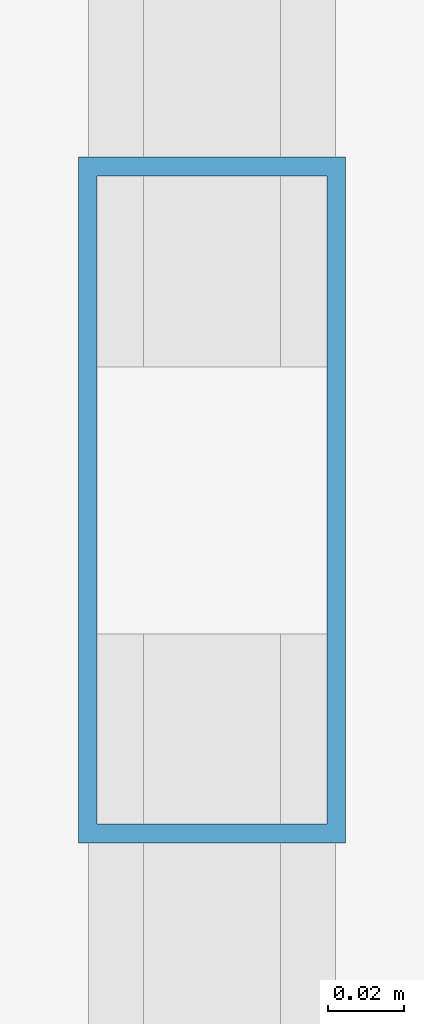
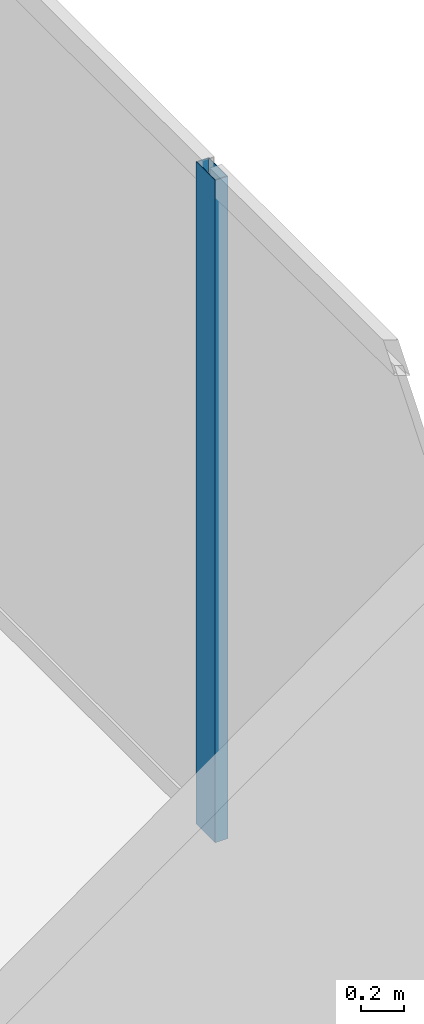
# One storey, part 24 of 33: 1 member, 1 element without a shape of its own.
"""IFC4 building model written with IfcOpenShell, lengths in metres."""

from ifc_helpers import new_model, si_unit, direction, frame, origin, origin_2d, place, context, subcontext, project, spatial, hollow_rectangle, extrude, source, transform, mapped, material, layer, layer_set, material_profile, profile_set, type_object, type_shapes, element, aggregate, save


model = new_model("IFC4")

# Units and contexts
model_context = context("Model", 3, precision=1e-05, world=origin(), true_north=direction((0.0, 1.0)))
body_context = subcontext(model_context, "Body", "Model", "MODEL_VIEW")
ifc_project = project(units=[si_unit("LENGTHUNIT", "METRE"), si_unit("AREAUNIT", "SQUARE_METRE"), si_unit("VOLUMEUNIT", "CUBIC_METRE"), si_unit("PLANEANGLEUNIT", "RADIAN"), si_unit("MASSUNIT", "GRAM", prefix="KILO")], contexts=[model_context])

# Site, building, storey
site_placement = place(None, origin())
site = spatial("IfcSite", under=ifc_project, at=site_placement, CompositionType="ELEMENT")
building_placement = place(site_placement, origin())
building = spatial("IfcBuilding", under=site, at=building_placement, Name="Haelvirn Gate Laboratories", CompositionType="ELEMENT")
storey_placement = place(building_placement, frame((0.0, 0.0, 287.5)))
storey = spatial("IfcBuildingStorey", under=building, at=storey_placement, Name="L69", CompositionType="ELEMENT", Elevation=287.5)

# Curtain wall, member
ifc_material_1 = material(Name="Anodised bronze unitised aluminium & triple low-E glass", Category="aluminium")
ifc_layer = layer(ifc_material_1, 0.176025390625, Name="CW-SYS-4")
ifc_layer_set = layer_set([ifc_layer], Name="Anodised bronze unitised aluminium & triple low-E glass")
curtain_wall_type = type_object("IfcCurtainWallType", Name="CW-SYS-4", PredefinedType="NOTDEFINED", material=ifc_layer_set)
curtain_wall_placement = place(storey_placement, origin())
curtain_wall = element("IfcCurtainWall", 1, at=curtain_wall_placement, inside=storey, type_object=curtain_wall_type, Name="L69 Unitised Curtain Wall CW-L69-P0-E07", PredefinedType="NOTDEFINED")
ifc_material_2 = material(Name="Extruded aluminium 6063-T6 (anodised bronze)", Category="aluminium")
ifc_material_profile = material_profile(ifc_material_2, hollow_rectangle(XDim=0.070068359375, YDim=0.179931640625, WallThickness=0.0048828125, at=origin_2d()), Name="CWM-180x70x5")
ifc_profile_set = profile_set([ifc_material_profile], Name="Extruded aluminium 6063-T6 (anodised bronze)")
member_type = type_object("IfcMemberType", Name="CWM-T180", PredefinedType="MULLION", material=ifc_profile_set)
shared_shape = source(origin(), body_context, "Body", "SweptSolid", [
    extrude(hollow_rectangle(XDim=0.070068359375, YDim=0.179931640625, WallThickness=0.0048828125, at=origin_2d()), origin(), (0.0, 0.0, 1.0), 3.800048828125),
])
type_shapes(member_type, [shared_shape])
member_placement = place(storey_placement, frame((70.699951171875, 24.300048828125, 0.0), z_axis=(0.0, 0.0, 1.0), x_axis=(-1.0, 0.0, 0.0)))
member = element("IfcMember", 2, at=member_placement, type_object=member_type, Name="CW4 mullion 2", PredefinedType="MULLION", context=body_context, shape_type="MappedRepresentation", body=[
    mapped(shared_shape, transform((0.0, 0.0, 0.0), scale=1.0)),
])
aggregate(curtain_wall, [member])

save(model, "model.ifc")
